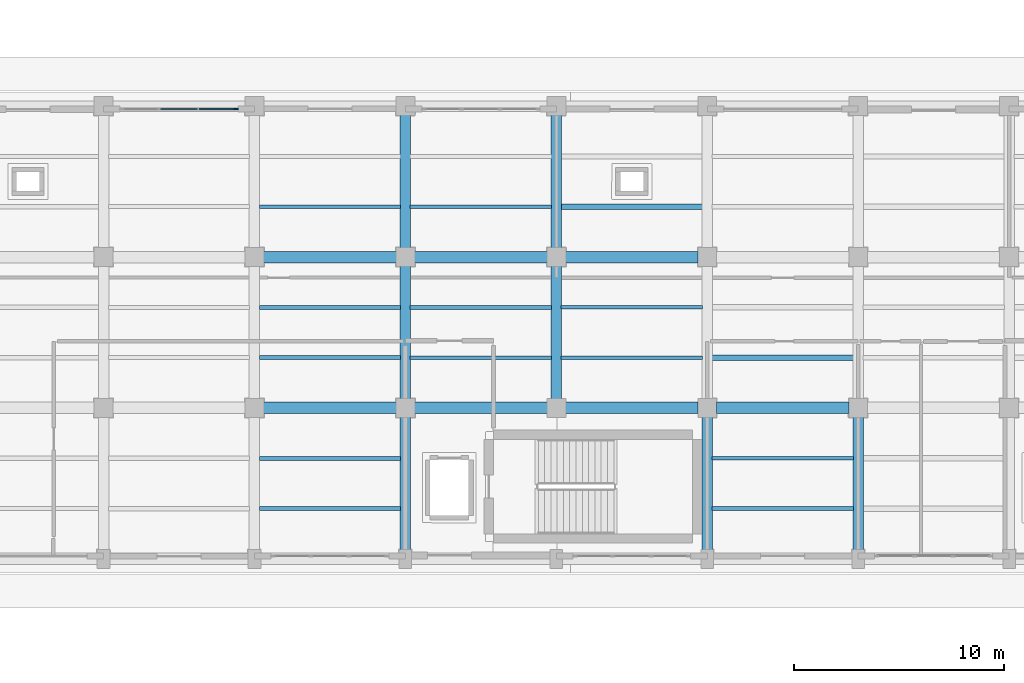
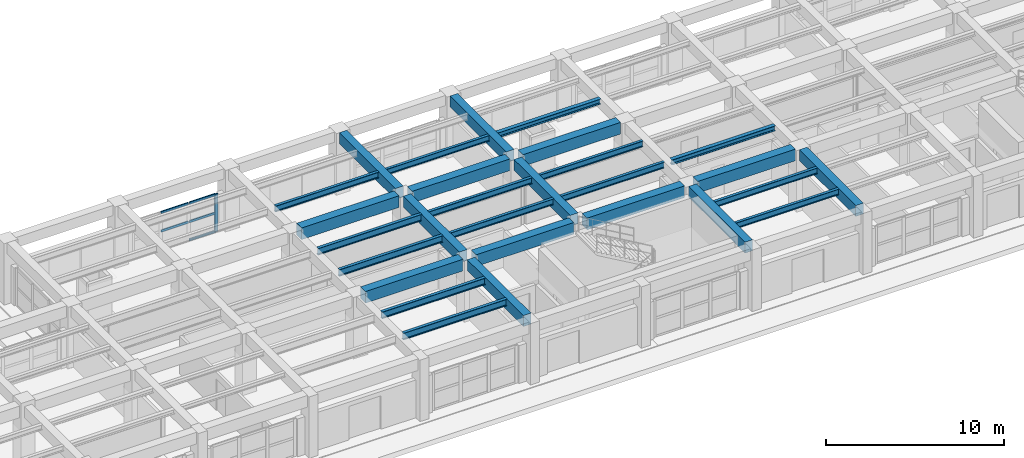
# One storey, part 24 of 64: 28 beams, 6 members, 1 element without a shape of its own.
"""IFC4 building model written with IfcOpenShell, lengths in metres."""

import ifcopenshell
import ifcopenshell.guid

model = None  # the IFC model being written
_history = None  # IfcOwnerHistory: only IFC2X3 demands one
_inside = {}  # id of a spatial element -> (the spatial element, [elements in it])
_under = {}  # id of a project, library or spatial element -> (it, [spatial elements below it])
_declared = {}  # id of a project -> (the project, [libraries it declares])
_typed = {}  # id of a type object -> (the type object, [elements of that type])
_made_of = {}  # id of a material, layer set ... -> (it, [elements and type objects made of it])


def new_model(schema):
    """Start an empty IFC model of exactly this schema.

    Asked for "IFC4X3", IfcOpenShell would pick the latest addendum, in which some entities
    have other attributes; the version numbers below select the first issue.
    IFC2X3 requires an IfcOwnerHistory on every rooted entity: one is made here for all.
    """
    global model, _history
    if schema == "IFC4X3":
        model = ifcopenshell.file(schema_version=(4, 3, 0, 0))
    else:
        model = ifcopenshell.file(schema=schema)
    _inside.clear()
    _under.clear()
    _declared.clear()
    _typed.clear()
    _made_of.clear()
    _history = None
    if model.schema == "IFC2X3":
        org = make("IfcOrganization", Name="unknown")
        user = make(
            "IfcPersonAndOrganization",
            ThePerson=make("IfcPerson", FamilyName="unknown"),
            TheOrganization=org,
        )
        app = make(
            "IfcApplication",
            ApplicationDeveloper=org,
            Version="unknown",
            ApplicationFullName="unknown",
            ApplicationIdentifier="unknown",
        )
        _history = make(
            "IfcOwnerHistory",
            OwningUser=user,
            OwningApplication=app,
            ChangeAction="ADDED",
            CreationDate=0,
        )
    return model


def make(cls, **values):
    """One entity of the class cls with the attributes given. An attribute that is None is left unset."""
    return model.create_entity(
        cls, **{name: value for name, value in values.items() if value is not None}
    )


def rooted(cls, **values):
    """An entity with a GlobalId (a new one), such as an element, a storey or a relation."""
    return make(cls, GlobalId=ifcopenshell.guid.new(), OwnerHistory=_history, **values)


def si_unit(unit_type, name, prefix=None):
    """IfcSIUnit, for example si_unit("LENGTHUNIT", "METRE", prefix="MILLI")."""
    return make("IfcSIUnit", UnitType=unit_type, Prefix=prefix, Name=name)


def assignment(units):
    """IfcUnitAssignment: the units of a project."""
    return None if units is None else make("IfcUnitAssignment", Units=units)


def point(xyz):
    """IfcCartesianPoint."""
    return None if xyz is None else make("IfcCartesianPoint", Coordinates=xyz)


def direction(xyz):
    """IfcDirection."""
    return None if xyz is None else make("IfcDirection", DirectionRatios=xyz)


def frame(location, z_axis=None, x_axis=None):
    """IfcAxis2Placement3D, a coordinate frame: its origin and axes. An axis left out is left unset."""
    return make(
        "IfcAxis2Placement3D",
        Location=point(location),
        Axis=direction(z_axis),
        RefDirection=direction(x_axis),
    )


def frame_2d(location, x_axis=None):
    """IfcAxis2Placement2D, a coordinate frame in the plane: its origin and x axis."""
    return make(
        "IfcAxis2Placement2D", Location=point(location), RefDirection=direction(x_axis)
    )


def origin():
    """The frame at (0, 0, 0) with its axes left unset."""
    return frame((0.0, 0.0, 0.0))


def origin_2d():
    """The frame at (0, 0) in the plane with its x axis left unset."""
    return frame_2d((0.0, 0.0))


def place(relative_to, where):
    """IfcLocalPlacement: puts the frame where relative to a parent placement (None: the world)."""
    return make(
        "IfcLocalPlacement", PlacementRelTo=relative_to, RelativePlacement=where
    )


def context(
    kind, dimensions, precision=None, world=None, true_north=None, identifier=None
):
    """IfcGeometricRepresentationContext, for example the 3D "Model" context."""
    return make(
        "IfcGeometricRepresentationContext",
        ContextIdentifier=identifier,
        ContextType=kind,
        CoordinateSpaceDimension=dimensions,
        Precision=precision,
        WorldCoordinateSystem=world,
        TrueNorth=true_north,
    )


def subcontext(parent, identifier, kind, view, scale=None):
    """IfcGeometricRepresentationSubContext, for example "Body" below "Model"."""
    return make(
        "IfcGeometricRepresentationSubContext",
        ContextIdentifier=identifier,
        ContextType=kind,
        ParentContext=parent,
        TargetScale=scale,
        TargetView=view,
    )


def project(units=None, contexts=None):
    """IfcProject with its units and contexts."""
    return rooted(
        "IfcProject",
        Name="project",
        RepresentationContexts=contexts,
        UnitsInContext=assignment(units),
    )


def spatial(cls, under=None, at=None, **own):
    """A site, building, storey or space (cls), placed at a placement, below another one or the project."""
    s = rooted(cls, ObjectPlacement=at, **own)
    if under is not None:
        _under.setdefault(under.id(), (under, []))[1].append(s)
    return s


def profile(cls, at=None, kind="AREA", **sizes):
    """A parametric profile (cls). Its sizes go by their IFC names, for example OverallWidth=200.0."""
    return make(cls, ProfileType=kind, Position=at, **sizes)


def rectangle(**sizes):
    """IfcRectangleProfileDef."""
    return profile("IfcRectangleProfileDef", **sizes)


def i_section(**sizes):
    """IfcIShapeProfileDef."""
    return profile("IfcIShapeProfileDef", **sizes)


def extrude(swept, where, along, depth):
    """IfcExtrudedAreaSolid: the profile swept, set in the frame where, extruded along a direction by depth."""
    return make(
        "IfcExtrudedAreaSolid",
        SweptArea=swept,
        Position=where,
        ExtrudedDirection=direction(along),
        Depth=depth,
    )


def shape(context_of_items, identifier, shape_type, items):
    """IfcShapeRepresentation: the items that make up one representation, for example the "Body"."""
    return make(
        "IfcShapeRepresentation",
        ContextOfItems=context_of_items,
        RepresentationIdentifier=identifier,
        RepresentationType=shape_type,
        Items=items,
    )


def material(Name=None, Category=None):
    """IfcMaterial."""
    return make("IfcMaterial", Name=Name, Category=Category)


def layer(
    of_material, thickness, ventilated=None, Name=None, Category=None, Priority=None
):
    """IfcMaterialLayer: one layer of a wall or slab, of a material (None: an air gap)."""
    return make(
        "IfcMaterialLayer",
        Material=of_material,
        LayerThickness=thickness,
        IsVentilated=ventilated,
        Name=Name,
        Category=Category,
        Priority=Priority,
    )


def layer_set(layers, Name=None):
    """IfcMaterialLayerSet."""
    return make("IfcMaterialLayerSet", MaterialLayers=layers, LayerSetName=Name)


def material_profile(
    of_material, cross_section, Name=None, Category=None, Priority=None
):
    """IfcMaterialProfile: a cross section and its material."""
    return make(
        "IfcMaterialProfile",
        Name=Name,
        Material=of_material,
        Profile=cross_section,
        Priority=Priority,
        Category=Category,
    )


def profile_set(profiles, Name=None, composite=None):
    """IfcMaterialProfileSet."""
    return make(
        "IfcMaterialProfileSet",
        Name=Name,
        MaterialProfiles=profiles,
        CompositeProfile=composite,
    )


def made_of(thing, what):
    """Note that an element or type object is made of a material, layer set ...; save() writes the relation."""
    if what is not None:
        _made_of.setdefault(what.id(), (what, []))[1].append(thing)
    return thing


def type_object(cls, material=None, **own):
    """A type object (cls), such as IfcWallType, which elements share."""
    return made_of(rooted(cls, **own), material)


def element(
    cls,
    number,
    at=None,
    inside=None,
    cuts=None,
    type_object=None,
    material=None,
    context=None,
    identifier="Body",
    shape_type=None,
    held_by="IfcProductDefinitionShape",
    body=None,
    shapes=None,
    **own,
):
    """One element of the class cls, such as IfcWall. Its Tag is "e" and its number.

    at: its placement. inside: the storey or other place that contains it. cuts: it is an
    opening in that element (IfcRelVoidsElement). A single representation is given by context,
    identifier, shape_type and body (its items); several are given by shapes. held_by: the class
    of the entity that holds the representations. save() writes the other relations.
    """
    e = rooted(cls, Tag="e%d" % number, ObjectPlacement=at, **own)
    if body is not None:
        shapes = [shape(context, identifier, shape_type, body)]
    if shapes is not None:
        e.Representation = make(held_by, Representations=shapes)
    if inside is not None:
        _inside.setdefault(inside.id(), (inside, []))[1].append(e)
    if cuts is not None:
        rooted(
            "IfcRelVoidsElement", RelatingBuildingElement=cuts, RelatedOpeningElement=e
        )
    if type_object is not None:
        _typed.setdefault(type_object.id(), (type_object, []))[1].append(e)
    return made_of(e, material)


def aggregate(whole, parts):
    """IfcRelAggregates: a whole, such as a stair, and the parts it consists of."""
    return rooted("IfcRelAggregates", RelatingObject=whole, RelatedObjects=parts)


def save(model, path):
    """Write the relations noted so far, then the file.

    IfcRelAggregates (storeys below a building ...), IfcRelContainedInSpatialStructure (elements
    in a storey), IfcRelDefinesByType, IfcRelAssociatesMaterial and IfcRelDeclares: one each for
    every whole, place, type object, material and project.
    """
    for whole, parts in _under.values():
        aggregate(whole, parts)
    for where, things in _inside.values():
        rooted(
            "IfcRelContainedInSpatialStructure",
            RelatedElements=things,
            RelatingStructure=where,
        )
    for kind, things in _typed.values():
        rooted("IfcRelDefinesByType", RelatedObjects=things, RelatingType=kind)
    for what, things in _made_of.values():
        rooted("IfcRelAssociatesMaterial", RelatedObjects=things, RelatingMaterial=what)
    for by, libraries in _declared.values():
        rooted("IfcRelDeclares", RelatingContext=by, RelatedDefinitions=libraries)
    model.write(path)


model = new_model("IFC4")

# Units and contexts
model_context = context("Model", 3, precision=1e-05, world=origin(), true_north=direction((0.0, 1.0)))
body_context = subcontext(model_context, "Body", "Model", "MODEL_VIEW")
ifc_project = project(units=[si_unit("LENGTHUNIT", "METRE"), si_unit("AREAUNIT", "SQUARE_METRE"), si_unit("VOLUMEUNIT", "CUBIC_METRE"), si_unit("PLANEANGLEUNIT", "RADIAN"), si_unit("MASSUNIT", "GRAM", prefix="KILO")], contexts=[model_context])

# Site, building, storey
site_placement = place(None, origin())
site = spatial("IfcSite", under=ifc_project, at=site_placement, CompositionType="ELEMENT")
building_placement = place(site_placement, origin())
building = spatial("IfcBuilding", under=site, at=building_placement, Name="Solenvale Faculty of Natural Sciences", CompositionType="ELEMENT")
storey_placement = place(building_placement, origin())
storey = spatial("IfcBuildingStorey", under=building, at=storey_placement, Name="L00", CompositionType="ELEMENT", Elevation=0.0)

# Beams
ifc_material_1 = material(Name="Concrete 40 MPa", Category="concrete")
ifc_material_profile_1 = material_profile(ifc_material_1, rectangle(XDim=0.5, YDim=0.75, at=origin_2d()), Name="RC-BM-500x750")
ifc_profile_set_1 = profile_set([ifc_material_profile_1], Name="Concrete 40 MPa")
beam_type_1 = type_object("IfcBeamType", Name="BM-RC-500x750", PredefinedType="BEAM", material=ifc_profile_set_1)
for number, where, z_axis, x_axis, name in (
    (1, (100.800048828125, 94.030029296875, 3.844970703125), (0.0, 1.0, 0.0), (-1.0, 0.0, 0.0), "L00 Y-Girder X100.8 (93.6..100.8)"),
    (2, (100.800048828125, 101.22998046875, 3.844970703125), (0.0, 1.0, 0.0), (-1.0, 0.0, 0.0), "L00 Y-Girder X100.8 (100.8..108.0)"),
    (3, (100.800048828125, 108.429931640625, 3.844970703125), (0.0, 1.0, 0.0), (-1.0, 0.0, 0.0), "L00 Y-Girder X100.8 (108.0..115.2)"),
    (4, (108.0, 101.22998046875, 3.844970703125), (0.0, 1.0, 0.0), (-1.0, 0.0, 0.0), "L00 Y-Girder X108.0 (100.8..108.0)"),
    (5, (108.0, 108.429931640625, 3.844970703125), (0.0, 1.0, 0.0), (-1.0, 0.0, 0.0), "L00 Y-Girder X108.0 (108.0..115.2)"),
    (6, (115.199951171875, 94.030029296875, 3.844970703125), (0.0, 1.0, 0.0), (-1.0, 0.0, 0.0), "L00 Y-Girder X115.2 (93.6..100.8)"),
    (7, (122.39990234375, 94.030029296875, 3.844970703125), (0.0, 1.0, 0.0), (-1.0, 0.0, 0.0), "L00 Y-Girder X122.4 (93.6..100.8)"),
):
    element("IfcBeam", number, at=place(storey_placement, frame(where, z_axis=z_axis, x_axis=x_axis)), inside=storey, type_object=beam_type_1, Name=name, PredefinedType="BEAM", context=body_context, shape_type="SweptSolid", body=[
        extrude(rectangle(XDim=0.5, YDim=0.75, at=origin_2d()), origin(), (0.0, 0.0, 1.0), 6.340087890625),
    ])
ifc_material_profile_2 = material_profile(ifc_material_1, rectangle(XDim=0.550048828125, YDim=0.800048828125, at=origin_2d()), Name="RC-BM-550x800")
ifc_profile_set_2 = profile_set([ifc_material_profile_2], Name="Concrete 40 MPa")
beam_type_2 = type_object("IfcBeamType", Name="BM-RC-550x800", PredefinedType="BEAM", material=ifc_profile_set_2)
for number, where, z_axis, x_axis, name in (
    (8, (94.030029296875, 100.800048828125, 3.820068359375), (1.0, 0.0, 0.0), (0.0, 1.0, 0.0), "L00 X-Girder Y100.8 (93.6..100.8)"),
    (9, (101.22998046875, 100.800048828125, 3.820068359375), (1.0, 0.0, 0.0), (0.0, 1.0, 0.0), "L00 X-Girder Y100.8 (100.8..108.0)"),
    (10, (108.429931640625, 100.800048828125, 3.820068359375), (1.0, 0.0, 0.0), (0.0, 1.0, 0.0), "L00 X-Girder Y100.8 (108.0..115.2)"),
    (11, (115.6298828125, 100.800048828125, 3.820068359375), (1.0, 0.0, 0.0), (0.0, 1.0, 0.0), "L00 X-Girder Y100.8 (115.2..122.4)"),
    (12, (94.030029296875, 108.0, 3.820068359375), (1.0, 0.0, 0.0), (0.0, 1.0, 0.0), "L00 X-Girder Y108.0 (93.6..100.8)"),
    (13, (101.22998046875, 108.0, 3.820068359375), (1.0, 0.0, 0.0), (0.0, 1.0, 0.0), "L00 X-Girder Y108.0 (100.8..108.0)"),
    (14, (108.429931640625, 108.0, 3.820068359375), (1.0, 0.0, 0.0), (0.0, 1.0, 0.0), "L00 X-Girder Y108.0 (108.0..115.2)"),
):
    element("IfcBeam", number, at=place(storey_placement, frame(where, z_axis=z_axis, x_axis=x_axis)), inside=storey, type_object=beam_type_2, Name=name, PredefinedType="BEAM", context=body_context, shape_type="SweptSolid", body=[
        extrude(rectangle(XDim=0.550048828125, YDim=0.800048828125, at=origin_2d()), origin(), (0.0, 0.0, 1.0), 6.340087890625),
    ])
ifc_material_2 = material(Name="Steel S355", Category="steel")
ifc_material_profile_3 = material_profile(ifc_material_2, i_section(OverallWidth=0.2548828125, OverallDepth=0.35693359375, WebThickness=0.010498046875, FlangeThickness=0.018310546875, FilletRadius=0.014892578125, at=origin_2d()), Name="W360x101")
ifc_profile_set_3 = profile_set([ifc_material_profile_3], Name="Steel S355")
beam_type_3 = type_object("IfcBeamType", Name="BM-STL-W360x101", PredefinedType="JOIST", material=ifc_profile_set_3)
for number, where, z_axis, x_axis, name in (
    (15, (108.22998046875, 110.39990234375, 4.04150390625), (1.0, 0.0, 0.0), (0.0, 1.0, 0.0), "L00 Composite Floor Joist (16,16).1"),
    (16, (115.429931640625, 103.199951171875, 4.04150390625), (1.0, 0.0, 0.0), (0.0, 1.0, 0.0), "L00 Composite Floor Joist (17,15).1"),
):
    element("IfcBeam", number, at=place(storey_placement, frame(where, z_axis=z_axis, x_axis=x_axis)), inside=storey, type_object=beam_type_3, Name=name, PredefinedType="JOIST", context=body_context, shape_type="SweptSolid", body=[
        extrude(i_section(OverallWidth=0.2548828125, OverallDepth=0.35693359375, WebThickness=0.010498046875, FlangeThickness=0.018310546875, FilletRadius=0.014892578125, at=origin_2d()), origin(), (0.0, 0.0, 1.0), 6.739990234375),
    ])
ifc_material_profile_4 = material_profile(ifc_material_2, i_section(OverallWidth=0.178955078125, OverallDepth=0.409912109375, WebThickness=0.0087890625, FlangeThickness=0.014404296875, FilletRadius=0.01611328125, at=origin_2d()), Name="W410x67")
ifc_profile_set_4 = profile_set([ifc_material_profile_4], Name="Steel S355")
beam_type_4 = type_object("IfcBeamType", Name="BM-STL-W410x67", PredefinedType="JOIST", material=ifc_profile_set_4)
for number, where, z_axis, x_axis, name in (
    (17, (101.030029296875, 110.39990234375, 4.014892578125), (1.0, 0.0, 0.0), (0.0, 1.0, 0.0), "L00 Composite Floor Joist (15,16).1"),
    (18, (108.22998046875, 103.199951171875, 4.014892578125), (1.0, 0.0, 0.0), (0.0, 1.0, 0.0), "L00 Composite Floor Joist (16,15).1"),
    (19, (108.22998046875, 105.60009765625, 4.014892578125), (1.0, 0.0, 0.0), (0.0, 1.0, 0.0), "L00 Composite Floor Joist (16,15).2"),
    (20, (115.429931640625, 96.0, 4.014892578125), (1.0, 0.0, 0.0), (0.0, 1.0, 0.0), "L00 Composite Floor Joist (17,14).1"),
    (21, (115.429931640625, 98.39990234375, 4.014892578125), (1.0, 0.0, 0.0), (0.0, 1.0, 0.0), "L00 Composite Floor Joist (17,14).2"),
):
    element("IfcBeam", number, at=place(storey_placement, frame(where, z_axis=z_axis, x_axis=x_axis)), inside=storey, type_object=beam_type_4, Name=name, PredefinedType="JOIST", context=body_context, shape_type="SweptSolid", body=[
        extrude(i_section(OverallWidth=0.178955078125, OverallDepth=0.409912109375, WebThickness=0.0087890625, FlangeThickness=0.014404296875, FilletRadius=0.01611328125, at=origin_2d()), origin(), (0.0, 0.0, 1.0), 6.739990234375),
    ])
ifc_material_profile_5 = material_profile(ifc_material_2, i_section(OverallWidth=0.180908203125, OverallDepth=0.4169921875, WebThickness=0.010986328125, FlangeThickness=0.018310546875, FilletRadius=0.01611328125, at=origin_2d()), Name="W410x85")
ifc_profile_set_5 = profile_set([ifc_material_profile_5], Name="Steel S355")
beam_type_5 = type_object("IfcBeamType", Name="BM-STL-W410x85", PredefinedType="JOIST", material=ifc_profile_set_5)
for number, where, z_axis, x_axis, name in (
    (22, (93.830078125, 110.39990234375, 4.011474609375), (1.0, 0.0, 0.0), (0.0, 1.0, 0.0), "L00 Composite Floor Joist (14,16).1"),
    (23, (101.030029296875, 103.199951171875, 4.011474609375), (1.0, 0.0, 0.0), (0.0, 1.0, 0.0), "L00 Composite Floor Joist (15,15).1"),
    (24, (101.030029296875, 105.60009765625, 4.011474609375), (1.0, 0.0, 0.0), (0.0, 1.0, 0.0), "L00 Composite Floor Joist (15,15).2"),
):
    element("IfcBeam", number, at=place(storey_placement, frame(where, z_axis=z_axis, x_axis=x_axis)), inside=storey, type_object=beam_type_5, Name=name, PredefinedType="JOIST", context=body_context, shape_type="SweptSolid", body=[
        extrude(i_section(OverallWidth=0.180908203125, OverallDepth=0.4169921875, WebThickness=0.010986328125, FlangeThickness=0.018310546875, FilletRadius=0.01611328125, at=origin_2d()), origin(), (0.0, 0.0, 1.0), 6.739990234375),
    ])
ifc_material_profile_6 = material_profile(ifc_material_2, i_section(OverallWidth=0.194091796875, OverallDepth=0.468994140625, WebThickness=0.0126953125, FlangeThickness=0.0205078125, FilletRadius=0.01806640625, at=origin_2d()), Name="W460x106")
ifc_profile_set_6 = profile_set([ifc_material_profile_6], Name="Steel S355")
beam_type_6 = type_object("IfcBeamType", Name="BM-STL-W460x106", PredefinedType="JOIST", material=ifc_profile_set_6)
for number, where, z_axis, x_axis, name in (
    (25, (93.830078125, 96.0, 3.985595703125), (1.0, 0.0, 0.0), (0.0, 1.0, 0.0), "L00 Composite Floor Joist (14,14).1"),
    (26, (93.830078125, 98.39990234375, 3.985595703125), (1.0, 0.0, 0.0), (0.0, 1.0, 0.0), "L00 Composite Floor Joist (14,14).2"),
):
    element("IfcBeam", number, at=place(storey_placement, frame(where, z_axis=z_axis, x_axis=x_axis)), inside=storey, type_object=beam_type_6, Name=name, PredefinedType="JOIST", context=body_context, shape_type="SweptSolid", body=[
        extrude(i_section(OverallWidth=0.194091796875, OverallDepth=0.468994140625, WebThickness=0.0126953125, FlangeThickness=0.0205078125, FilletRadius=0.01806640625, at=origin_2d()), origin(), (0.0, 0.0, 1.0), 6.739990234375),
    ])
ifc_material_profile_7 = material_profile(ifc_material_2, i_section(OverallWidth=0.19091796875, OverallDepth=0.4599609375, WebThickness=0.010009765625, FlangeThickness=0.01611328125, FilletRadius=0.01806640625, at=origin_2d()), Name="W460x82")
ifc_profile_set_7 = profile_set([ifc_material_profile_7], Name="Steel S355")
beam_type_7 = type_object("IfcBeamType", Name="BM-STL-W460x82", PredefinedType="JOIST", material=ifc_profile_set_7)
for number, where, z_axis, x_axis, name in (
    (27, (93.830078125, 103.199951171875, 3.989990234375), (1.0, 0.0, 0.0), (0.0, 1.0, 0.0), "L00 Composite Floor Joist (14,15).1"),
    (28, (93.830078125, 105.60009765625, 3.989990234375), (1.0, 0.0, 0.0), (0.0, 1.0, 0.0), "L00 Composite Floor Joist (14,15).2"),
):
    element("IfcBeam", number, at=place(storey_placement, frame(where, z_axis=z_axis, x_axis=x_axis)), inside=storey, type_object=beam_type_7, Name=name, PredefinedType="JOIST", context=body_context, shape_type="SweptSolid", body=[
        extrude(i_section(OverallWidth=0.19091796875, OverallDepth=0.4599609375, WebThickness=0.010009765625, FlangeThickness=0.01611328125, FilletRadius=0.01806640625, at=origin_2d()), origin(), (0.0, 0.0, 1.0), 6.739990234375),
    ])

# Curtain wall, members
ifc_material_3 = material(Name="Anodised bronze aluminium", Category="aluminium")
ifc_layer = layer(ifc_material_3, 0.179931640625)
ifc_layer_set = layer_set([ifc_layer], Name="Anodised bronze aluminium")
curtain_wall_type = type_object("IfcCurtainWallType", Name="CW-TWR-MOD", PredefinedType="USERDEFINED", material=ifc_layer_set)
curtain_wall_placement = place(storey_placement, origin())
curtain_wall = element("IfcCurtainWall", 29, at=curtain_wall_placement, inside=storey, type_object=curtain_wall_type, Name="L00 Curtain Wall CW-L00-P1-E17-B9", ObjectType="UNITISED CURTAIN WALL", PredefinedType="USERDEFINED")
ifc_material_profile_8 = material_profile(ifc_material_3, rectangle(XDim=0.074951171875, YDim=0.2099609375, at=origin_2d()), Name="ALU-MUL-75x210")
ifc_profile_set_8 = profile_set([ifc_material_profile_8], Name="Anodised bronze aluminium")
member_type_1 = type_object("IfcMemberType", Name="CWM-ALU-75x210", PredefinedType="MULLION", material=ifc_profile_set_8)
member_1_placement = place(storey_placement, frame((92.71240234375, 115.0576171875, 0.0), z_axis=(0.0, 0.0, 1.0), x_axis=(0.0, -1.0, 0.0)))
member_1 = element("IfcMember", 30, at=member_1_placement, type_object=member_type_1, Name="CW-04 mullion 1", PredefinedType="MULLION", context=body_context, shape_type="SweptSolid", body=[
    extrude(rectangle(XDim=0.074951171875, YDim=0.2099609375, at=origin_2d()), origin(), (0.0, 0.0, 1.0), 2.60009765625),
])
ifc_material_profile_9 = material_profile(ifc_material_3, rectangle(XDim=0.074951171875, YDim=0.155029296875, at=origin_2d()), Name="ALU-TRN-75x155")
ifc_profile_set_9 = profile_set([ifc_material_profile_9], Name="Anodised bronze aluminium")
member_type_2 = type_object("IfcMemberType", Name="CWT-ALU-75x155", PredefinedType="USERDEFINED", material=ifc_profile_set_9)
member_2_placement = place(storey_placement, frame((92.675048828125, 115.0576171875, 0.03759765625), z_axis=(-1.0, 0.0, 0.0), x_axis=(0.0, -1.0, 0.0)))
member_2 = element("IfcMember", 31, at=member_2_placement, type_object=member_type_2, Name="CW-04 transom 1.1", ObjectType="TRANSOM", PredefinedType="USERDEFINED", context=body_context, shape_type="SweptSolid", body=[
    extrude(rectangle(XDim=0.074951171875, YDim=0.155029296875, at=origin_2d()), origin(), (0.0, 0.0, 1.0), 1.720947265625),
])
member_3_placement = place(storey_placement, frame((92.675048828125, 115.0576171875, 1.300048828125), z_axis=(-1.0, 0.0, 0.0), x_axis=(0.0, -1.0, 0.0)))
member_3 = element("IfcMember", 32, at=member_3_placement, type_object=member_type_2, Name="CW-04 transom 1.2", ObjectType="TRANSOM", PredefinedType="USERDEFINED", context=body_context, shape_type="SweptSolid", body=[
    extrude(rectangle(XDim=0.074951171875, YDim=0.155029296875, at=origin_2d()), origin(), (0.0, 0.0, 1.0), 1.720947265625),
])
member_4_placement = place(storey_placement, frame((92.675048828125, 115.0576171875, 2.5625), z_axis=(-1.0, 0.0, 0.0), x_axis=(0.0, -1.0, 0.0)))
member_4 = element("IfcMember", 33, at=member_4_placement, type_object=member_type_2, Name="CW-04 transom 1.3", ObjectType="TRANSOM", PredefinedType="USERDEFINED", context=body_context, shape_type="SweptSolid", body=[
    extrude(rectangle(XDim=0.074951171875, YDim=0.155029296875, at=origin_2d()), origin(), (0.0, 0.0, 1.0), 1.720947265625),
])
member_5_placement = place(storey_placement, frame((90.879150390625, 115.0576171875, 1.300048828125), z_axis=(-1.0, 0.0, 0.0), x_axis=(0.0, -1.0, 0.0)))
member_5 = element("IfcMember", 34, at=member_5_placement, type_object=member_type_2, Name="CW-04 transom 2.2", ObjectType="TRANSOM", PredefinedType="USERDEFINED", context=body_context, shape_type="SweptSolid", body=[
    extrude(rectangle(XDim=0.074951171875, YDim=0.155029296875, at=origin_2d()), origin(), (0.0, 0.0, 1.0), 1.75830078125),
])
member_6_placement = place(storey_placement, frame((90.879150390625, 115.0576171875, 2.5625), z_axis=(-1.0, 0.0, 0.0), x_axis=(0.0, -1.0, 0.0)))
member_6 = element("IfcMember", 35, at=member_6_placement, type_object=member_type_2, Name="CW-04 transom 2.3", ObjectType="TRANSOM", PredefinedType="USERDEFINED", context=body_context, shape_type="SweptSolid", body=[
    extrude(rectangle(XDim=0.074951171875, YDim=0.155029296875, at=origin_2d()), origin(), (0.0, 0.0, 1.0), 1.75830078125),
])
aggregate(curtain_wall, [member_1, member_2, member_3, member_4, member_5, member_6])

save(model, "model.ifc")
